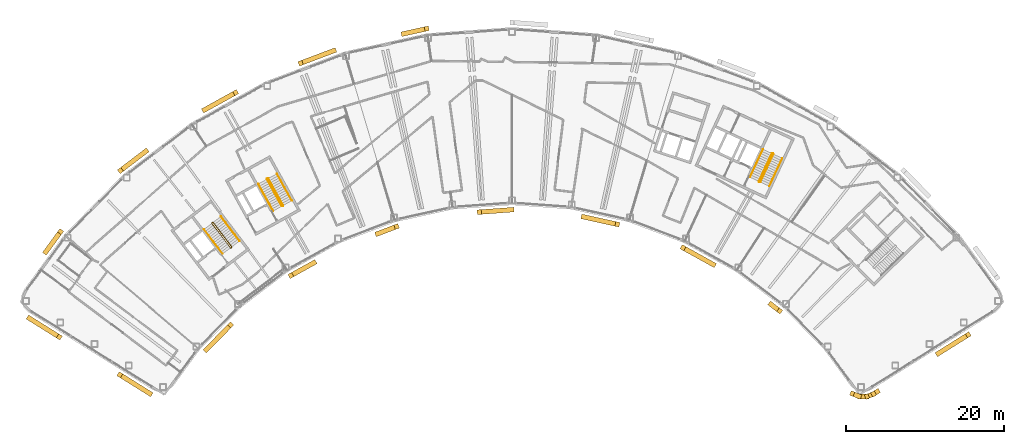
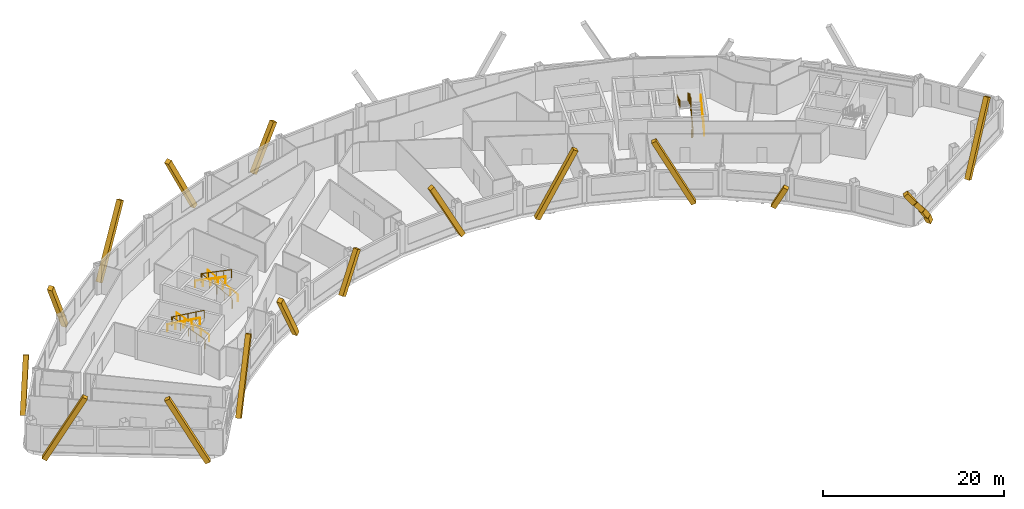
# One storey, part 12 of 13: 19 coverings, 9 railings.
"""IFC4 building model written with IfcOpenShell, lengths in metres."""

from ifc_helpers import new_model, si_unit, direction, frame, origin, origin_2d, place, context, subcontext, project, spatial, rectangle, circle, extrude, material, material_profile, profile_set, type_object, element, save


model = new_model("IFC4")

# Units and contexts
model_context = context("Model", 3, precision=1e-05, world=origin(), true_north=direction((0.0, 1.0)))
body_context = subcontext(model_context, "Body", "Model", "MODEL_VIEW")
ifc_project = project(units=[si_unit("LENGTHUNIT", "METRE"), si_unit("AREAUNIT", "SQUARE_METRE"), si_unit("VOLUMEUNIT", "CUBIC_METRE"), si_unit("PLANEANGLEUNIT", "RADIAN"), si_unit("MASSUNIT", "GRAM", prefix="KILO")], contexts=[model_context])

# Site, building, storey
site_placement = place(None, origin())
site = spatial("IfcSite", under=ifc_project, at=site_placement, CompositionType="ELEMENT")
building_placement = place(site_placement, origin())
building = spatial("IfcBuilding", under=site, at=building_placement, Name="Tuul Gate Civic Tower", CompositionType="ELEMENT")
storey_placement = place(building_placement, frame((0.0, 0.0, 319.699951171875)))
storey = spatial("IfcBuildingStorey", under=building, at=storey_placement, Name="Level 72", CompositionType="ELEMENT", Elevation=319.699951171875)

# Railings
ifc_material_1 = material(Name="Painted steel", Category="steel")
railing_type_1 = type_object("IfcRailingType", Name="Stair guard", PredefinedType="GUARDRAIL", material=ifc_material_1)
railing_1_placement = place(storey_placement, frame((-33.382080078125, -13.515380859375, 0.0)))
element("IfcRailing", 1, at=railing_1_placement, inside=storey, type_object=railing_type_1, Name="Level 72 ST-1 stair guard 1", PredefinedType="GUARDRAIL", context=body_context, shape_type="SweptSolid", body=[
    extrude(circle(Radius=0.02392578125, at=origin_2d()), frame((0.0, 0.0, 1.076171875), z_axis=(-0.795879841968, -0.605454603706, 0.0), x_axis=(0.605454603706, -0.795879841968, 0.0)), (0.0, 0.0, 1.0), 0.10009765625),
    extrude(circle(Radius=0.02392578125, at=origin_2d()), frame((-0.07958984375, -0.060546875, 1.076171875), z_axis=(0.408676696321, 0.599019267211, 0.688592241747), x_axis=(-0.826063974707, 0.563576356576, 0.0)), (0.0, 0.0, 1.0), 0.218017578125),
    extrude(circle(Radius=0.02392578125, at=origin_2d()), frame((0.009521484375, 0.070068359375, 1.22607421875), z_axis=(-0.541824460341, 0.711645023348, 0.447199748346), x_axis=(-0.795637165283, -0.60577347352, 0.0)), (0.0, 0.0, 1.0), 4.3603515625),
    extrude(circle(Radius=0.02392578125, at=origin_2d()), frame((-2.35302734375, 3.173095703125, 3.17626953125), z_axis=(-0.990893089246, 0.134650977284, 0.0), x_axis=(-0.134650977284, -0.990893089246, 0.0)), (0.0, 0.0, 1.0), 0.07080078125),
    extrude(circle(Radius=0.02392578125, at=origin_2d()), frame((-2.423095703125, 3.1826171875, 3.17626953125), z_axis=(-0.793802879778, -0.60817512943, 0.0), x_axis=(0.60817512943, -0.793802879778, 0.0)), (0.0, 0.0, 1.0), 0.099853515625),
    extrude(circle(Radius=0.02392578125, at=origin_2d()), frame((-2.50244140625, 3.121826171875, 3.17626953125), z_axis=(-0.057447065493, -0.422751481959, 0.904423031091), x_axis=(0.990893089246, -0.134650977284, 0.0)), (0.0, 0.0, 1.0), 0.165771484375),
    extrude(circle(Radius=0.02392578125, at=origin_2d()), frame((-2.511962890625, 3.0517578125, 3.326171875), z_axis=(0.541806494602, -0.71163897684, 0.447231136047), x_axis=(0.795644365679, 0.605764016233, 0.0)), (0.0, 0.0, 1.0), 4.360107421875),
    extrude(circle(Radius=0.02099609375, at=origin_2d()), origin(), (0.0, 0.0, 1.0), 1.052001953125),
    extrude(circle(Radius=0.02099609375, at=origin_2d()), frame((-0.07958984375, -0.060546875, 0.0)), (0.0, 0.0, 1.0), 1.052001953125),
    extrude(circle(Radius=0.02099609375, at=origin_2d()), frame((0.009521484375, 0.070068359375, 0.150146484375)), (0.0, 0.0, 1.0), 1.052001953125),
    extrude(circle(Radius=0.02099609375, at=origin_2d()), frame((-0.5810546875, 0.845703125, 0.6376953125)), (0.0, 0.0, 1.0), 1.052001953125),
    extrude(circle(Radius=0.02099609375, at=origin_2d()), frame((-1.171875, 1.62158203125, 1.125)), (0.0, 0.0, 1.0), 1.052001953125),
    extrude(circle(Radius=0.02099609375, at=origin_2d()), frame((-1.762451171875, 2.3974609375, 1.612548828125)), (0.0, 0.0, 1.0), 1.052001953125),
    extrude(circle(Radius=0.02099609375, at=origin_2d()), frame((-2.35302734375, 3.173095703125, 2.10009765625)), (0.0, 0.0, 1.0), 1.052001953125),
    extrude(circle(Radius=0.02099609375, at=origin_2d()), frame((-2.423095703125, 3.1826171875, 2.10009765625)), (0.0, 0.0, 1.0), 1.052001953125),
    extrude(circle(Radius=0.02099609375, at=origin_2d()), frame((-2.50244140625, 3.121826171875, 2.10009765625)), (0.0, 0.0, 1.0), 1.052001953125),
    extrude(circle(Radius=0.02099609375, at=origin_2d()), frame((-2.511962890625, 3.0517578125, 2.25)), (0.0, 0.0, 1.0), 1.052001953125),
    extrude(circle(Radius=0.02099609375, at=origin_2d()), frame((-1.92138671875, 2.276123046875, 2.737548828125)), (0.0, 0.0, 1.0), 1.052001953125),
    extrude(circle(Radius=0.02099609375, at=origin_2d()), frame((-1.330810546875, 1.50048828125, 3.22509765625)), (0.0, 0.0, 1.0), 1.052001953125),
    extrude(circle(Radius=0.02099609375, at=origin_2d()), frame((-0.740234375, 0.724609375, 3.71240234375)), (0.0, 0.0, 1.0), 1.052001953125),
    extrude(circle(Radius=0.02099609375, at=origin_2d()), frame((-0.149658203125, -0.051025390625, 4.199951171875)), (0.0, 0.0, 1.0), 1.052001953125),
])
railing_2_placement = place(storey_placement, frame((-26.857666015625, -8.247314453125, 0.0)))
element("IfcRailing", 2, at=railing_2_placement, inside=storey, type_object=railing_type_1, Name="Level 72 ST-2 stair guard 1", PredefinedType="GUARDRAIL", context=body_context, shape_type="SweptSolid", body=[
    extrude(circle(Radius=0.02392578125, at=origin_2d()), frame((0.0, 0.0, 1.076171875), z_axis=(-0.874616555828, -0.48481530532, 0.0), x_axis=(0.48481530532, -0.874616555828, 0.0)), (0.0, 0.0, 1.0), 0.10009765625),
    extrude(circle(Radius=0.02392578125, at=origin_2d()), frame((-0.087646484375, -0.048583984375, 1.076171875), z_axis=(0.490435707169, 0.534104639999, 0.688625479244), x_axis=(-0.736576986774, 0.676353711126, 0.0)), (0.0, 0.0, 1.0), 0.218017578125),
    extrude(circle(Radius=0.02392578125, at=origin_2d()), frame((0.019287109375, 0.06787109375, 1.22607421875), z_axis=(-0.43354991378, 0.782327185242, 0.447212083348), x_axis=(-0.874667644053, -0.484723129681, 0.0)), (0.0, 0.0, 1.0), 4.3603515625),
    extrude(circle(Radius=0.02392578125, at=origin_2d()), frame((-1.87109375, 3.47900390625, 3.17626953125), z_axis=(-0.961263487578, 0.275631107549, 0.0), x_axis=(-0.275631107549, -0.961263487578, 0.0)), (0.0, 0.0, 1.0), 0.07080078125),
    extrude(circle(Radius=0.02392578125, at=origin_2d()), frame((-1.939208984375, 3.49853515625, 3.17626953125), z_axis=(-0.874042088414, -0.485850211157, 0.0), x_axis=(0.485850211157, -0.874042088414, 0.0)), (0.0, 0.0, 1.0), 0.10009765625),
    extrude(circle(Radius=0.02392578125, at=origin_2d()), frame((-2.026611328125, 3.449951171875, 3.17626953125), z_axis=(-0.117866478395, -0.409586012422, 0.90462522168), x_axis=(0.961000426733, -0.276546885391, 0.0)), (0.0, 0.0, 1.0), 0.165771484375),
    extrude(circle(Radius=0.02392578125, at=origin_2d()), frame((-2.046142578125, 3.382080078125, 3.326171875), z_axis=(0.433595379963, -0.782308193291, 0.447201226726), x_axis=(0.874641102302, 0.484771020343, 0.0)), (0.0, 0.0, 1.0), 4.3603515625),
    extrude(circle(Radius=0.02099609375, at=origin_2d()), origin(), (0.0, 0.0, 1.0), 1.052001953125),
    extrude(circle(Radius=0.02099609375, at=origin_2d()), frame((-0.087646484375, -0.048583984375, 0.0)), (0.0, 0.0, 1.0), 1.052001953125),
    extrude(circle(Radius=0.02099609375, at=origin_2d()), frame((0.019287109375, 0.06787109375, 0.150146484375)), (0.0, 0.0, 1.0), 1.052001953125),
    extrude(circle(Radius=0.02099609375, at=origin_2d()), frame((-0.453369140625, 0.920654296875, 0.6376953125)), (0.0, 0.0, 1.0), 1.052001953125),
    extrude(circle(Radius=0.02099609375, at=origin_2d()), frame((-0.92578125, 1.7734375, 1.125)), (0.0, 0.0, 1.0), 1.052001953125),
    extrude(circle(Radius=0.02099609375, at=origin_2d()), frame((-1.3984375, 2.626220703125, 1.612548828125)), (0.0, 0.0, 1.0), 1.052001953125),
    extrude(circle(Radius=0.02099609375, at=origin_2d()), frame((-1.87109375, 3.47900390625, 2.10009765625)), (0.0, 0.0, 1.0), 1.052001953125),
    extrude(circle(Radius=0.02099609375, at=origin_2d()), frame((-1.939208984375, 3.49853515625, 2.10009765625)), (0.0, 0.0, 1.0), 1.052001953125),
    extrude(circle(Radius=0.02099609375, at=origin_2d()), frame((-2.026611328125, 3.449951171875, 2.10009765625)), (0.0, 0.0, 1.0), 1.052001953125),
    extrude(circle(Radius=0.02099609375, at=origin_2d()), frame((-2.046142578125, 3.382080078125, 2.25)), (0.0, 0.0, 1.0), 1.052001953125),
    extrude(circle(Radius=0.02099609375, at=origin_2d()), frame((-1.573486328125, 2.529296875, 2.737548828125)), (0.0, 0.0, 1.0), 1.052001953125),
    extrude(circle(Radius=0.02099609375, at=origin_2d()), frame((-1.100830078125, 1.676513671875, 3.22509765625)), (0.0, 0.0, 1.0), 1.052001953125),
    extrude(circle(Radius=0.02099609375, at=origin_2d()), frame((-0.628173828125, 0.82373046875, 3.71240234375)), (0.0, 0.0, 1.0), 1.052001953125),
    extrude(circle(Radius=0.02099609375, at=origin_2d()), frame((-0.155517578125, -0.029052734375, 4.199951171875)), (0.0, 0.0, 1.0), 1.052001953125),
])
railing_3_placement = place(storey_placement, frame((33.645751953125, -5.238525390625, 0.0)))
element("IfcRailing", 3, at=railing_3_placement, inside=storey, type_object=railing_type_1, Name="Level 72 ST-4 stair guard 1", PredefinedType="GUARDRAIL", context=body_context, shape_type="SweptSolid", body=[
    extrude(circle(Radius=0.02392578125, at=origin_2d()), frame((0.0, 0.0, 1.076171875), z_axis=(-0.906307919131, 0.422617978463, 0.0), x_axis=(-0.422617978463, -0.906307919131, 0.0)), (0.0, 0.0, 1.0), 0.099853515625),
    extrude(circle(Radius=0.02392578125, at=origin_2d()), frame((-0.090576171875, 0.042236328125, 1.076171875), z_axis=(0.720179819621, -0.082882280952, 0.688818956559), x_axis=(0.114330889033, 0.993442724979, 0.0)), (0.0, 0.0, 1.0), 0.218017578125),
    extrude(circle(Radius=0.02392578125, at=origin_2d()), frame((0.06640625, 0.024169921875, 1.22607421875), z_axis=(0.377946903738, 0.810654114417, 0.447209173356), x_axis=(-0.906336612539, 0.422556439746, 0.0)), (0.0, 0.0, 1.0), 4.3603515625),
    extrude(circle(Radius=0.02392578125, at=origin_2d()), frame((1.71435546875, 3.558837890625, 3.17626953125), z_axis=(-0.342020437038, 0.939692513883, 0.0), x_axis=(-0.939692513883, -0.342020437038, 0.0)), (0.0, 0.0, 1.0), 0.070556640625),
    extrude(circle(Radius=0.02392578125, at=origin_2d()), frame((1.690185546875, 3.625244140625, 3.17626953125), z_axis=(-0.906307919131, 0.422617978463, 0.0), x_axis=(-0.422617978463, -0.906307919131, 0.0)), (0.0, 0.0, 1.0), 0.099853515625),
    extrude(circle(Radius=0.02392578125, at=origin_2d()), frame((1.599609375, 3.66748046875, 3.17626953125), z_axis=(-0.40070210376, -0.145843780413, 0.904526072458), x_axis=(0.342020437038, -0.939692513883, 0.0)), (0.0, 0.0, 1.0), 0.165771484375),
    extrude(circle(Radius=0.02392578125, at=origin_2d()), frame((1.533203125, 3.643310546875, 3.326171875), z_axis=(-0.377946903738, -0.810654114417, 0.447209173356), x_axis=(0.906336612539, -0.422556439746, 0.0)), (0.0, 0.0, 1.0), 4.3603515625),
    extrude(circle(Radius=0.02099609375, at=origin_2d()), origin(), (0.0, 0.0, 1.0), 1.052001953125),
    extrude(circle(Radius=0.02099609375, at=origin_2d()), frame((-0.090576171875, 0.042236328125, 0.0)), (0.0, 0.0, 1.0), 1.052001953125),
    extrude(circle(Radius=0.02099609375, at=origin_2d()), frame((0.06640625, 0.024169921875, 0.150146484375)), (0.0, 0.0, 1.0), 1.052001953125),
    extrude(circle(Radius=0.02099609375, at=origin_2d()), frame((0.478515625, 0.90771484375, 0.6376953125)), (0.0, 0.0, 1.0), 1.052001953125),
    extrude(circle(Radius=0.02099609375, at=origin_2d()), frame((0.890380859375, 1.79150390625, 1.125)), (0.0, 0.0, 1.0), 1.052001953125),
    extrude(circle(Radius=0.02099609375, at=origin_2d()), frame((1.30224609375, 2.67529296875, 1.612548828125)), (0.0, 0.0, 1.0), 1.052001953125),
    extrude(circle(Radius=0.02099609375, at=origin_2d()), frame((1.71435546875, 3.558837890625, 2.10009765625)), (0.0, 0.0, 1.0), 1.052001953125),
    extrude(circle(Radius=0.02099609375, at=origin_2d()), frame((1.690185546875, 3.625244140625, 2.10009765625)), (0.0, 0.0, 1.0), 1.052001953125),
    extrude(circle(Radius=0.02099609375, at=origin_2d()), frame((1.599609375, 3.66748046875, 2.10009765625)), (0.0, 0.0, 1.0), 1.052001953125),
    extrude(circle(Radius=0.02099609375, at=origin_2d()), frame((1.533203125, 3.643310546875, 2.25)), (0.0, 0.0, 1.0), 1.052001953125),
    extrude(circle(Radius=0.02099609375, at=origin_2d()), frame((1.12109375, 2.759765625, 2.737548828125)), (0.0, 0.0, 1.0), 1.052001953125),
    extrude(circle(Radius=0.02099609375, at=origin_2d()), frame((0.709228515625, 1.8759765625, 3.22509765625)), (0.0, 0.0, 1.0), 1.052001953125),
    extrude(circle(Radius=0.02099609375, at=origin_2d()), frame((0.29736328125, 0.9921875, 3.71240234375)), (0.0, 0.0, 1.0), 1.052001953125),
    extrude(circle(Radius=0.02099609375, at=origin_2d()), frame((-0.11474609375, 0.108642578125, 4.199951171875)), (0.0, 0.0, 1.0), 1.052001953125),
])
ifc_material_2 = material(Name="Painted steel", Category="steel")
railing_type_2 = type_object("IfcRailingType", Name="Stair handrail", PredefinedType="HANDRAIL", material=ifc_material_2)
railing_4_placement = place(storey_placement, frame((-32.3779296875, -12.688232421875, 0.150146484375)))
element("IfcRailing", 4, at=railing_4_placement, inside=storey, type_object=railing_type_2, Name="Level 72 ST-1 stair handrail 1", PredefinedType="HANDRAIL", context=body_context, shape_type="SweptSolid", body=[
    extrude(circle(Radius=0.02392578125, at=origin_2d()), frame((0.0, 0.0, 0.8759765625), z_axis=(-0.541824460341, 0.711645023348, 0.447199748346), x_axis=(-0.795637165283, -0.60577347352, 0.0)), (0.0, 0.0, 1.0), 4.3603515625),
    extrude(circle(Radius=0.02099609375, at=origin_2d()), origin(), (0.0, 0.0, 1.0), 0.851806640625),
    extrude(circle(Radius=0.02099609375, at=origin_2d()), frame((-0.590576171875, 0.77587890625, 0.487548828125)), (0.0, 0.0, 1.0), 0.851806640625),
    extrude(circle(Radius=0.02099609375, at=origin_2d()), frame((-1.18115234375, 1.551513671875, 0.97509765625)), (0.0, 0.0, 1.0), 0.851806640625),
    extrude(circle(Radius=0.02099609375, at=origin_2d()), frame((-1.77197265625, 2.3271484375, 1.46240234375)), (0.0, 0.0, 1.0), 0.851806640625),
    extrude(circle(Radius=0.02099609375, at=origin_2d()), frame((-2.362548828125, 3.10302734375, 1.949951171875)), (0.0, 0.0, 1.0), 0.851806640625),
])
railing_5_placement = place(storey_placement, frame((-36.888671875, -11.220703125, 2.25)))
element("IfcRailing", 5, at=railing_5_placement, inside=storey, type_object=railing_type_2, Name="Level 72 ST-1 stair handrail 2", PredefinedType="HANDRAIL", context=body_context, shape_type="SweptSolid", body=[
    extrude(circle(Radius=0.02392578125, at=origin_2d()), frame((0.0, 0.0, 0.8759765625), z_axis=(0.541824460341, -0.711645023348, 0.447199748346), x_axis=(0.795637165283, 0.60577347352, 0.0)), (0.0, 0.0, 1.0), 4.3603515625),
    extrude(circle(Radius=0.02099609375, at=origin_2d()), origin(), (0.0, 0.0, 1.0), 0.851806640625),
    extrude(circle(Radius=0.02099609375, at=origin_2d()), frame((0.590576171875, -0.77587890625, 0.487548828125)), (0.0, 0.0, 1.0), 0.851806640625),
    extrude(circle(Radius=0.02099609375, at=origin_2d()), frame((1.18115234375, -1.551513671875, 0.97509765625)), (0.0, 0.0, 1.0), 0.851806640625),
    extrude(circle(Radius=0.02099609375, at=origin_2d()), frame((1.77197265625, -2.3271484375, 1.46240234375)), (0.0, 0.0, 1.0), 0.851806640625),
    extrude(circle(Radius=0.02099609375, at=origin_2d()), frame((2.362548828125, -3.10302734375, 1.949951171875)), (0.0, 0.0, 1.0), 0.851806640625),
])
railing_6_placement = place(storey_placement, frame((-25.744873046875, -7.573486328125, 0.150146484375)))
element("IfcRailing", 6, at=railing_6_placement, inside=storey, type_object=railing_type_2, Name="Level 72 ST-2 stair handrail 1", PredefinedType="HANDRAIL", context=body_context, shape_type="SweptSolid", body=[
    extrude(circle(Radius=0.02392578125, at=origin_2d()), frame((0.0, 0.0, 0.8759765625), z_axis=(-0.433595379963, 0.782308193291, 0.447201226726), x_axis=(-0.874641102302, -0.484771020343, 0.0)), (0.0, 0.0, 1.0), 4.3603515625),
    extrude(circle(Radius=0.02099609375, at=origin_2d()), origin(), (0.0, 0.0, 1.0), 0.851806640625),
    extrude(circle(Radius=0.02099609375, at=origin_2d()), frame((-0.47265625, 0.852783203125, 0.487548828125)), (0.0, 0.0, 1.0), 0.851806640625),
    extrude(circle(Radius=0.02099609375, at=origin_2d()), frame((-0.9453125, 1.70556640625, 0.97509765625)), (0.0, 0.0, 1.0), 0.851806640625),
    extrude(circle(Radius=0.02099609375, at=origin_2d()), frame((-1.41796875, 2.558349609375, 1.46240234375)), (0.0, 0.0, 1.0), 0.851806640625),
    extrude(circle(Radius=0.02099609375, at=origin_2d()), frame((-1.890625, 3.4111328125, 1.949951171875)), (0.0, 0.0, 1.0), 0.851806640625),
])
railing_7_placement = place(storey_placement, frame((-29.9970703125, -5.47119140625, 2.25)))
element("IfcRailing", 7, at=railing_7_placement, inside=storey, type_object=railing_type_2, Name="Level 72 ST-2 stair handrail 2", PredefinedType="HANDRAIL", context=body_context, shape_type="SweptSolid", body=[
    extrude(circle(Radius=0.02392578125, at=origin_2d()), frame((0.0, 0.0, 0.8759765625), z_axis=(0.433595379963, -0.782308193291, 0.447201226726), x_axis=(0.874641102302, 0.484771020343, 0.0)), (0.0, 0.0, 1.0), 4.3603515625),
    extrude(circle(Radius=0.02099609375, at=origin_2d()), origin(), (0.0, 0.0, 1.0), 0.851806640625),
    extrude(circle(Radius=0.02099609375, at=origin_2d()), frame((0.47265625, -0.852783203125, 0.487548828125)), (0.0, 0.0, 1.0), 0.851806640625),
    extrude(circle(Radius=0.02099609375, at=origin_2d()), frame((0.9453125, -1.70556640625, 0.97509765625)), (0.0, 0.0, 1.0), 0.851806640625),
    extrude(circle(Radius=0.02099609375, at=origin_2d()), frame((1.41796875, -2.558349609375, 1.46240234375)), (0.0, 0.0, 1.0), 0.851806640625),
    extrude(circle(Radius=0.02099609375, at=origin_2d()), frame((1.890625, -3.4111328125, 1.949951171875)), (0.0, 0.0, 1.0), 0.851806640625),
])
railing_8_placement = place(storey_placement, frame((34.844970703125, -5.74267578125, 0.150146484375)))
element("IfcRailing", 8, at=railing_8_placement, inside=storey, type_object=railing_type_2, Name="Level 72 ST-4 stair handrail 1", PredefinedType="HANDRAIL", context=body_context, shape_type="SweptSolid", body=[
    extrude(circle(Radius=0.02392578125, at=origin_2d()), frame((0.0, 0.0, 0.8759765625), z_axis=(0.377994896215, 0.810636958585, 0.447199709091), x_axis=(-0.906312636903, 0.422607861012, 0.0)), (0.0, 0.0, 1.0), 4.3603515625),
    extrude(circle(Radius=0.02099609375, at=origin_2d()), origin(), (0.0, 0.0, 1.0), 0.851806640625),
    extrude(circle(Radius=0.02099609375, at=origin_2d()), frame((0.412109375, 0.8837890625, 0.487548828125)), (0.0, 0.0, 1.0), 0.851806640625),
    extrude(circle(Radius=0.02099609375, at=origin_2d()), frame((0.82421875, 1.767333984375, 0.97509765625)), (0.0, 0.0, 1.0), 0.851806640625),
    extrude(circle(Radius=0.02099609375, at=origin_2d()), frame((1.236083984375, 2.65087890625, 1.46240234375)), (0.0, 0.0, 1.0), 0.851806640625),
    extrude(circle(Radius=0.02099609375, at=origin_2d()), frame((1.648193359375, 3.53466796875, 1.949951171875)), (0.0, 0.0, 1.0), 0.851806640625),
])
railing_9_placement = place(storey_placement, frame((34.046142578125, -1.06689453125, 2.25)))
element("IfcRailing", 9, at=railing_9_placement, inside=storey, type_object=railing_type_2, Name="Level 72 ST-4 stair handrail 2", PredefinedType="HANDRAIL", context=body_context, shape_type="SweptSolid", body=[
    extrude(circle(Radius=0.02392578125, at=origin_2d()), frame((0.0, 0.0, 0.8759765625), z_axis=(-0.377994896215, -0.810636958585, 0.447199709091), x_axis=(0.906312636903, -0.422607861012, 0.0)), (0.0, 0.0, 1.0), 4.3603515625),
    extrude(circle(Radius=0.02099609375, at=origin_2d()), origin(), (0.0, 0.0, 1.0), 0.851806640625),
    extrude(circle(Radius=0.02099609375, at=origin_2d()), frame((-0.412109375, -0.8837890625, 0.487548828125)), (0.0, 0.0, 1.0), 0.851806640625),
    extrude(circle(Radius=0.02099609375, at=origin_2d()), frame((-0.82421875, -1.767333984375, 0.97509765625)), (0.0, 0.0, 1.0), 0.851806640625),
    extrude(circle(Radius=0.02099609375, at=origin_2d()), frame((-1.236083984375, -2.65087890625, 1.46240234375)), (0.0, 0.0, 1.0), 0.851806640625),
    extrude(circle(Radius=0.02099609375, at=origin_2d()), frame((-1.648193359375, -3.53466796875, 1.949951171875)), (0.0, 0.0, 1.0), 0.851806640625),
])

# Coverings
ifc_material_3 = material(Name="Terracotta baguette", Category="masonry")
ifc_material_profile = material_profile(ifc_material_3, rectangle(XDim=0.60009765625, YDim=0.60009765625, at=origin_2d()), Name="Terracotta baguette screen frame")
ifc_profile_set = profile_set([ifc_material_profile], Name="Terracotta baguette")
covering_type = type_object("IfcCoveringType", Name="Terracotta baguette screen frame", PredefinedType="CLADDING", material=ifc_profile_set)
covering_1_placement = place(storey_placement, frame((56.25439453125, -26.996337890625, -0.349853515625), z_axis=(0.402317058192, 0.251358609748, 0.880318030028), x_axis=(-0.529863185224, 0.848083135633, 0.0)))
element("IfcCovering", 10, at=covering_1_placement, inside=storey, type_object=covering_type, Name="Baguette 1", PredefinedType="CLADDING", context=body_context, shape_type="SweptSolid", body=[
    extrude(rectangle(XDim=0.60009765625, YDim=0.60009765625, at=origin_2d()), origin(), (0.0, 0.0, 1.0), 9.5419921875),
])
covering_2_placement = place(storey_placement, frame((-8.63037109375, 14.2470703125, 5.255615234375), z_axis=(-0.464019264263, -0.102246729192, -0.879904386148), x_axis=(0.215187960952, -0.976572650376, 0.0)))
element("IfcCovering", 11, at=covering_2_placement, inside=storey, type_object=covering_type, Name="Baguette 80", PredefinedType="CLADDING", context=body_context, shape_type="SweptSolid", body=[
    extrude(rectangle(XDim=0.60009765625, YDim=0.60009765625, at=origin_2d()), origin(), (0.0, 0.0, 1.0), 6.37060546875),
])
covering_3_placement = place(storey_placement, frame((-24.637939453125, 9.865478515625, 8.050048828125), z_axis=(0.444447097075, 0.168096597565, -0.879892216006), x_axis=(-0.353758489664, 0.935336800832, 0.0)))
element("IfcCovering", 12, at=covering_3_placement, inside=storey, type_object=covering_type, Name="Baguette 95", PredefinedType="CLADDING", context=body_context, shape_type="SweptSolid", body=[
    extrude(rectangle(XDim=0.60009765625, YDim=0.60009765625, at=origin_2d()), origin(), (0.0, 0.0, 1.0), 9.546630859375),
])
covering_4_placement = place(storey_placement, frame((-32.880615234375, 6.13134765625, 8.050048828125), z_axis=(-0.415601604837, -0.230344203727, -0.879895933544), x_axis=(0.484765303515, -0.874644270837, 0.0)))
element("IfcCovering", 13, at=covering_4_placement, inside=storey, type_object=covering_type, Name="Baguette 101", PredefinedType="CLADDING", context=body_context, shape_type="SweptSolid", body=[
    extrude(rectangle(XDim=0.60009765625, YDim=0.60009765625, at=origin_2d()), origin(), (0.0, 0.0, 1.0), 9.54638671875),
])
covering_5_placement = place(storey_placement, frame((-47.501708984375, -3.76123046875, 7.220947265625), z_axis=(0.378060731421, 0.287858459942, -0.879890669571), x_axis=(-0.605793108402, 0.79562221551, 0.0)))
element("IfcCovering", 14, at=covering_5_placement, inside=storey, type_object=covering_type, Name="Baguette 116", PredefinedType="CLADDING", context=body_context, shape_type="SweptSolid", body=[
    extrude(rectangle(XDim=0.60009765625, YDim=0.60009765625, at=origin_2d()), origin(), (0.0, 0.0, 1.0), 8.604248046875),
])
covering_6_placement = place(storey_placement, frame((-55.09765625, -11.509765625, 5.5859375), z_axis=(-0.281341633683, -0.385267780007, -0.878871789765), x_axis=(0.807590994458, -0.589742982723, 0.0)))
element("IfcCovering", 15, at=covering_6_placement, inside=storey, type_object=covering_type, Name="Baguette 122", PredefinedType="CLADDING", context=body_context, shape_type="SweptSolid", body=[
    extrude(rectangle(XDim=0.60009765625, YDim=0.60009765625, at=origin_2d()), origin(), (0.0, 0.0, 1.0), 6.75390625),
])
covering_7_placement = place(storey_placement, frame((-55.253662109375, -24.88232421875, 8.050048828125), z_axis=(-0.402293025591, 0.251385166726, -0.880321429656), x_axis=(-0.529926214669, -0.848043753002, 0.0)))
element("IfcCovering", 16, at=covering_7_placement, inside=storey, type_object=covering_type, Name="Baguette 149", PredefinedType="CLADDING", context=body_context, shape_type="SweptSolid", body=[
    extrude(rectangle(XDim=0.60009765625, YDim=0.60009765625, at=origin_2d()), origin(), (0.0, 0.0, 1.0), 9.541748046875),
])
covering_8_placement = place(storey_placement, frame((-47.576171875, -29.6796875, 8.050048828125), z_axis=(0.402314470661, -0.251382579131, -0.8803123682), x_axis=(0.529901976461, 0.848058898511, 0.0)))
element("IfcCovering", 17, at=covering_8_placement, inside=storey, type_object=covering_type, Name="Baguette 153", PredefinedType="CLADDING", context=body_context, shape_type="SweptSolid", body=[
    extrude(rectangle(XDim=0.60009765625, YDim=0.60009765625, at=origin_2d()), origin(), (0.0, 0.0, 1.0), 9.5419921875),
])
covering_9_placement = place(storey_placement, frame((-33.515869140625, -23.349853515625, 8.050048828125), z_axis=(-0.326359115616, -0.332838984599, -0.884707826339), x_axis=(0.714023092705, -0.700122148688, 0.0)))
element("IfcCovering", 18, at=covering_9_placement, inside=storey, type_object=covering_type, Name="Baguette 180", PredefinedType="CLADDING", context=body_context, shape_type="SweptSolid", body=[
    extrude(rectangle(XDim=0.60009765625, YDim=0.60009765625, at=origin_2d()), origin(), (0.0, 0.0, 1.0), 9.49462890625),
])
covering_10_placement = place(storey_placement, frame((-25.876953125, -17.08349609375, 6.06201171875), z_axis=(0.407708361449, 0.225969403338, -0.884709964203), x_axis=(-0.484765259291, 0.874644295348, 0.0)))
element("IfcCovering", 19, at=covering_10_placement, inside=storey, type_object=covering_type, Name="Baguette 187", PredefinedType="CLADDING", context=body_context, shape_type="SweptSolid", body=[
    extrude(rectangle(XDim=0.60009765625, YDim=0.60009765625, at=origin_2d()), origin(), (0.0, 0.0, 1.0), 7.247314453125),
])
covering_11_placement = place(storey_placement, frame((-12.450439453125, -10.86376953125, 4.594970703125), z_axis=(-0.436053033654, -0.164890333772, -0.88468578019), x_axis=(0.353699371155, -0.935359158209, 0.0)))
element("IfcCovering", 20, at=covering_11_placement, inside=storey, type_object=covering_type, Name="Baguette 205", PredefinedType="CLADDING", context=body_context, shape_type="SweptSolid", body=[
    extrude(rectangle(XDim=0.60009765625, YDim=0.60009765625, at=origin_2d()), origin(), (0.0, 0.0, 1.0), 5.58935546875),
])
covering_12_placement = place(storey_placement, frame((-1.96044921875, -9.031982421875, 8.050048828125), z_axis=(0.464920662797, 0.03370456122, -0.884710562759), x_axis=(-0.072305541975, 0.997382528722, 0.0)))
element("IfcCovering", 21, at=covering_12_placement, inside=storey, type_object=covering_type, Name="Baguette 212", PredefinedType="CLADDING", context=body_context, shape_type="SweptSolid", body=[
    extrude(rectangle(XDim=0.60009765625, YDim=0.60009765625, at=origin_2d()), origin(), (0.0, 0.0, 1.0), 8.931396484375),
])
for number, where, z_axis, x_axis, name in (
    (22, (15.569580078125, -10.5849609375, 8.050048828125), (-0.455233015253, 0.100334343963, -0.884701034952), (-0.215236378617, -0.976561980276, 0.0), "Baguette 228"),
    (23, (23.894287109375, -13.5546875, 8.050048828125), (0.407714066256, -0.225996400626, -0.884700439178), (0.484804374507, 0.87462261488, 0.0), "Baguette 236"),
):
    element("IfcCovering", number, at=place(storey_placement, frame(where, z_axis=z_axis, x_axis=x_axis)), inside=storey, type_object=covering_type, Name=name, PredefinedType="CLADDING", context=body_context, shape_type="SweptSolid", body=[
        extrude(rectangle(XDim=0.60009765625, YDim=0.60009765625, at=origin_2d()), origin(), (0.0, 0.0, 1.0), 9.49462890625),
    ])
covering_13_placement = place(storey_placement, frame((36.162353515625, -21.577880859375, 2.343505859375), z_axis=(-0.370821886599, 0.282446947362, -0.884711732908), x_axis=(-0.605929173105, -0.795518596376, 0.0)))
element("IfcCovering", 24, at=covering_13_placement, inside=storey, type_object=covering_type, Name="Baguette 251", PredefinedType="CLADDING", context=body_context, shape_type="SweptSolid", body=[
    extrude(rectangle(XDim=0.60009765625, YDim=0.60009765625, at=origin_2d()), origin(), (0.0, 0.0, 1.0), 3.04443359375),
])
covering_14_placement = place(storey_placement, frame((45.35791015625, -32.0703125, 4.612548828125), z_axis=(0.559831988252, -0.222845742896, -0.79807764021), x_axis=(0.369834920181, 0.929097482407, 0.0)))
element("IfcCovering", 25, at=covering_14_placement, inside=storey, type_object=covering_type, Name="Baguette 260", PredefinedType="CLADDING", context=body_context, shape_type="SweptSolid", body=[
    extrude(rectangle(XDim=0.60009765625, YDim=0.60009765625, at=origin_2d()), origin(), (0.0, 0.0, 1.0), 1.616943359375),
])
covering_15_placement = place(storey_placement, frame((46.26318359375, -32.4306640625, 3.322021484375), z_axis=(0.602776661081, -0.001662623689, -0.79790822313), x_axis=(0.002758264332, 0.999996195982, 0.0)))
element("IfcCovering", 26, at=covering_15_placement, inside=storey, type_object=covering_type, Name="Baguette 261", PredefinedType="CLADDING", context=body_context, shape_type="SweptSolid", body=[
    extrude(rectangle(XDim=0.60009765625, YDim=0.60009765625, at=origin_2d()), origin(), (0.0, 0.0, 1.0), 1.615234375),
])
covering_16_placement = place(storey_placement, frame((47.23681640625, -32.433349609375, 2.033203125), z_axis=(0.53407853992, 0.208042221945, -0.819437945842), x_axis=(-0.362969067807, 0.931801188997, 0.0)))
element("IfcCovering", 27, at=covering_16_placement, inside=storey, type_object=covering_type, Name="Baguette 262", PredefinedType="CLADDING", context=body_context, shape_type="SweptSolid", body=[
    extrude(rectangle(XDim=0.60009765625, YDim=0.60009765625, at=origin_2d()), origin(), (0.0, 0.0, 1.0), 1.572509765625),
])
covering_17_placement = place(storey_placement, frame((48.07666015625, -32.106201171875, 0.74462890625), z_axis=(0.402352266006, 0.251347438013, -0.880305128603), x_axis=(-0.52981289744, 0.848114552231, 0.0)))
element("IfcCovering", 28, at=covering_17_placement, inside=storey, type_object=covering_type, Name="Baguette 263", PredefinedType="CLADDING", context=body_context, shape_type="SweptSolid", body=[
    extrude(rectangle(XDim=0.60009765625, YDim=0.60009765625, at=origin_2d()), origin(), (0.0, 0.0, 1.0), 1.243408203125),
])

save(model, "model.ifc")
